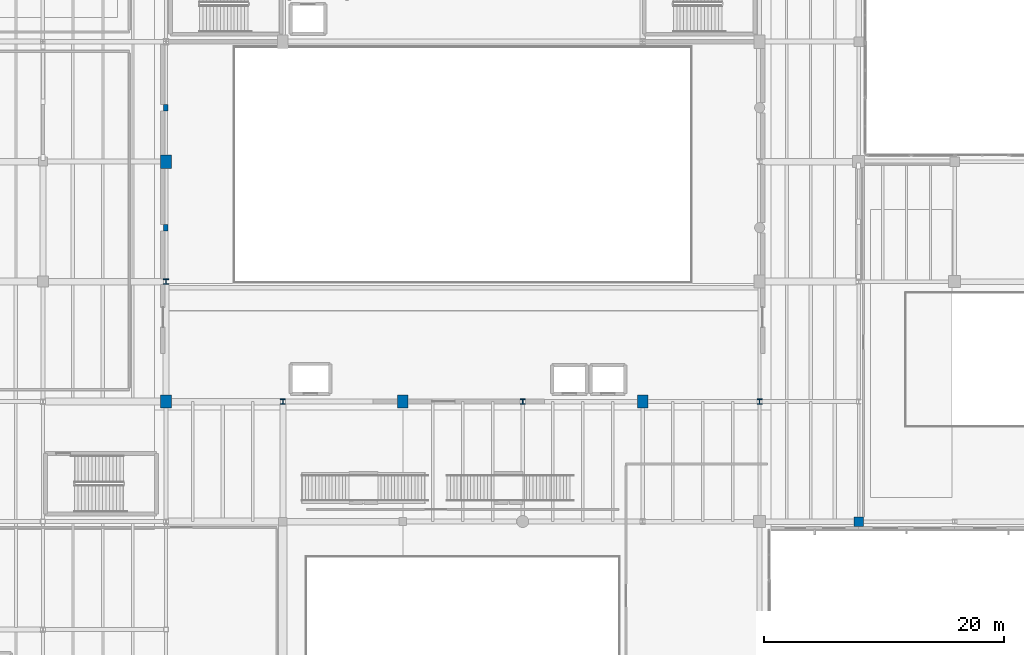
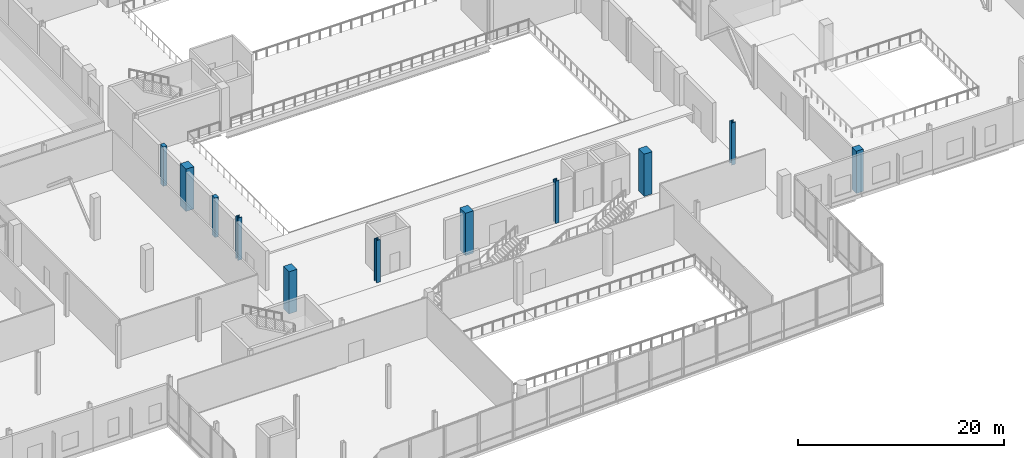
# One storey, part 5 of 81: 11 columns.
"""IFC4 building model written with IfcOpenShell, lengths in metres."""

from ifc_helpers import new_model, si_unit, direction, frame, origin, origin_2d, place, context, subcontext, project, spatial, rectangle, i_section, extrude, material, material_profile, profile_set, type_object, element, save


model = new_model("IFC4")

# Units and contexts
model_context = context("Model", 3, precision=1e-05, world=origin(), true_north=direction((0.0, 1.0)))
body_context = subcontext(model_context, "Body", "Model", "MODEL_VIEW")
ifc_project = project(units=[si_unit("LENGTHUNIT", "METRE"), si_unit("AREAUNIT", "SQUARE_METRE"), si_unit("VOLUMEUNIT", "CUBIC_METRE"), si_unit("PLANEANGLEUNIT", "RADIAN"), si_unit("MASSUNIT", "GRAM", prefix="KILO")], contexts=[model_context])

# Site, building, storey
site_placement = place(None, origin())
site = spatial("IfcSite", under=ifc_project, at=site_placement, CompositionType="ELEMENT")
building_placement = place(site_placement, origin())
building = spatial("IfcBuilding", under=site, at=building_placement, Name="Trimount Lyric Opera House", CompositionType="ELEMENT")
storey_placement = place(building_placement, frame((0.0, 0.0, 5.0)))
storey = spatial("IfcBuildingStorey", under=building, at=storey_placement, Name="L01", CompositionType="ELEMENT", Elevation=5.0)

# Columns
ifc_material_1 = material(Name="Steel ASTM A992 Grade 50", Category="steel")
ifc_material_profile_1 = material_profile(ifc_material_1, i_section(OverallWidth=0.422119140625, OverallDepth=0.465087890625, WebThickness=0.044921875, FlangeThickness=0.072509765625, FilletRadius=0.02001953125, at=origin_2d()), Name="W14X398")
ifc_profile_set_1 = profile_set([ifc_material_profile_1], Name="Steel ASTM A992 Grade 50")
column_type_1 = type_object("IfcColumnType", Name="C-01", PredefinedType="COLUMN", material=ifc_profile_set_1)
for number, where, z_axis, x_axis, name in (
    (1, (64.260009765625, 64.0, 0.0), (0.0, 0.0, 1.0), (1.0, 0.0, 0.0), "L01 column 8/H"),
    (2, (74.0, 54.0, 0.0), (0.0, 0.0, 1.0), (1.0, 0.0, 0.0), "L01 column 9/G"),
    (3, (94.0, 54.0, 0.0), (0.0, 0.0, 1.0), (1.0, 0.0, 0.0), "L01 column 11/G"),
    (4, (113.739990234375, 54.0, 0.0), (0.0, 0.0, 1.0), (1.0, 0.0, 0.0), "L01 column 13/G"),
):
    element("IfcColumn", number, at=place(storey_placement, frame(where, z_axis=z_axis, x_axis=x_axis)), inside=storey, type_object=column_type_1, Name=name, PredefinedType="COLUMN", context=body_context, shape_type="SweptSolid", body=[
        extrude(i_section(OverallWidth=0.422119140625, OverallDepth=0.465087890625, WebThickness=0.044921875, FlangeThickness=0.072509765625, FilletRadius=0.02001953125, at=origin_2d()), origin(), (0.0, 0.0, 1.0), 5.0),
    ])
ifc_material_2 = material(Name="Concrete C50/60", Category="concrete")
ifc_material_profile_2 = material_profile(ifc_material_2, rectangle(XDim=0.89990234375, YDim=1.10009765625, at=origin_2d()), Name="RC1100X900")
ifc_profile_set_2 = profile_set([ifc_material_profile_2], Name="Concrete C50/60")
column_type_2 = type_object("IfcColumnType", Name="C-11", PredefinedType="COLUMN", material=ifc_profile_set_2)
for number, where, z_axis, x_axis, name in (
    (5, (64.260009765625, 54.0, 0.0), (0.0, 0.0, 1.0), (1.0, 0.0, 0.0), "L01 column 8/G"),
    (6, (64.260009765625, 74.0, 0.0), (0.0, 0.0, 1.0), (1.0, 0.0, 0.0), "L01 column 8/J"),
    (7, (84.0, 54.0, 0.0), (0.0, 0.0, 1.0), (1.0, 0.0, 0.0), "L01 column 10/G"),
    (8, (104.0, 54.0, 0.0), (0.0, 0.0, 1.0), (1.0, 0.0, 0.0), "L01 column 12/G"),
):
    element("IfcColumn", number, at=place(storey_placement, frame(where, z_axis=z_axis, x_axis=x_axis)), inside=storey, type_object=column_type_2, Name=name, PredefinedType="COLUMN", context=body_context, shape_type="SweptSolid", body=[
        extrude(rectangle(XDim=0.89990234375, YDim=1.10009765625, at=origin_2d()), origin(), (0.0, 0.0, 1.0), 5.0),
    ])
ifc_material_3 = material(Name="Concrete C40/50", Category="concrete")
ifc_material_profile_3 = material_profile(ifc_material_3, rectangle(XDim=0.800048828125, YDim=0.800048828125, at=origin_2d()), Name="RC800X800")
ifc_profile_set_3 = profile_set([ifc_material_profile_3], Name="Concrete C40/50")
column_type_3 = type_object("IfcColumnType", Name="C-14", PredefinedType="COLUMN", material=ifc_profile_set_3)
column_placement = place(storey_placement, frame((122.0, 44.0, 0.0), z_axis=(0.0, 0.0, 1.0), x_axis=(1.0, 0.0, 0.0)))
element("IfcColumn", 9, at=column_placement, inside=storey, type_object=column_type_3, Name="L01 column 14/F", PredefinedType="COLUMN", context=body_context, shape_type="SweptSolid", body=[
    extrude(rectangle(XDim=0.800048828125, YDim=0.800048828125, at=origin_2d()), origin(), (0.0, 0.0, 1.0), 5.0),
])
ifc_material_4 = material(Name="Concrete C40/50", Category="concrete")
ifc_material_profile_4 = material_profile(ifc_material_4, rectangle(XDim=0.39990234375, YDim=0.550048828125, at=origin_2d()), Name="RC550X400")
ifc_profile_set_4 = profile_set([ifc_material_profile_4], Name="Concrete C40/50")
column_type_4 = type_object("IfcColumnType", Name="CP-01", PredefinedType="PILASTER", material=ifc_profile_set_4)
for number, where, z_axis, x_axis, name in (
    (10, (64.25, 68.5, 0.0), (0.0, 0.0, 1.0), (1.0, 0.0, 0.0), "L01 acoustic shell pilaster W1"),
    (11, (64.25, 78.5, 0.0), (0.0, 0.0, 1.0), (1.0, 0.0, 0.0), "L01 acoustic shell pilaster W2"),
):
    element("IfcColumn", number, at=place(storey_placement, frame(where, z_axis=z_axis, x_axis=x_axis)), inside=storey, type_object=column_type_4, Name=name, PredefinedType="PILASTER", context=body_context, shape_type="SweptSolid", body=[
        extrude(rectangle(XDim=0.39990234375, YDim=0.550048828125, at=origin_2d()), origin(), (0.0, 0.0, 1.0), 4.675048828125),
    ])

save(model, "model.ifc")
